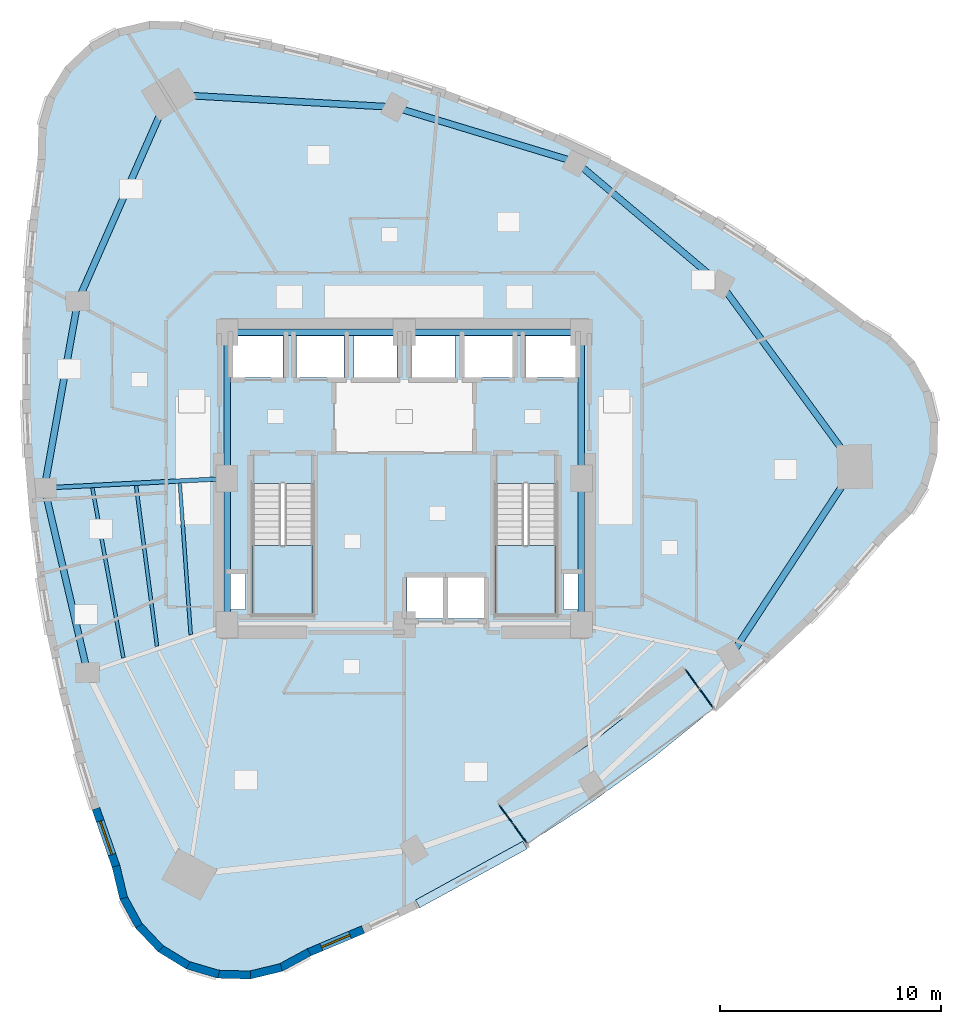
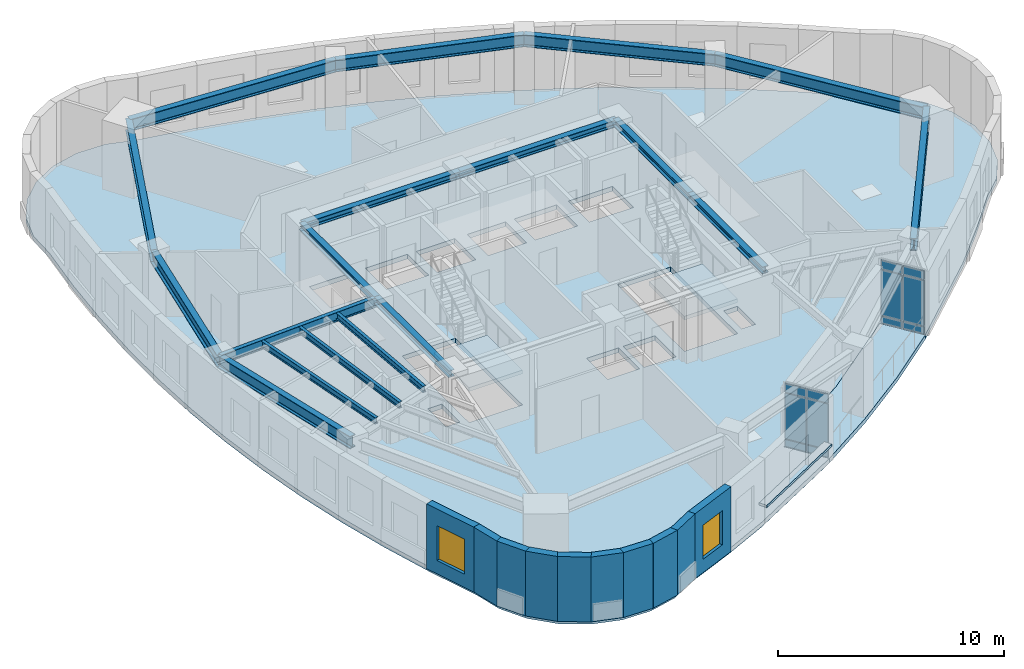
# One storey, part 4 of 11: 18 beams, 13 plates, 10 walls, 4 slabs, 2 windows, 2 openings, 4 elements without a shape of their own.
"""IFC4 building model written with IfcOpenShell, lengths in metres."""

import ifcopenshell
import ifcopenshell.guid

model = None  # the IFC model being written
_history = None  # IfcOwnerHistory: only IFC2X3 demands one
_inside = {}  # id of a spatial element -> (the spatial element, [elements in it])
_under = {}  # id of a project, library or spatial element -> (it, [spatial elements below it])
_declared = {}  # id of a project -> (the project, [libraries it declares])
_typed = {}  # id of a type object -> (the type object, [elements of that type])
_made_of = {}  # id of a material, layer set ... -> (it, [elements and type objects made of it])


def new_model(schema):
    """Start an empty IFC model of exactly this schema.

    Asked for "IFC4X3", IfcOpenShell would pick the latest addendum, in which some entities
    have other attributes; the version numbers below select the first issue.
    IFC2X3 requires an IfcOwnerHistory on every rooted entity: one is made here for all.
    """
    global model, _history
    if schema == "IFC4X3":
        model = ifcopenshell.file(schema_version=(4, 3, 0, 0))
    else:
        model = ifcopenshell.file(schema=schema)
    _inside.clear()
    _under.clear()
    _declared.clear()
    _typed.clear()
    _made_of.clear()
    _history = None
    if model.schema == "IFC2X3":
        org = make("IfcOrganization", Name="unknown")
        user = make(
            "IfcPersonAndOrganization",
            ThePerson=make("IfcPerson", FamilyName="unknown"),
            TheOrganization=org,
        )
        app = make(
            "IfcApplication",
            ApplicationDeveloper=org,
            Version="unknown",
            ApplicationFullName="unknown",
            ApplicationIdentifier="unknown",
        )
        _history = make(
            "IfcOwnerHistory",
            OwningUser=user,
            OwningApplication=app,
            ChangeAction="ADDED",
            CreationDate=0,
        )
    return model


def make(cls, **values):
    """One entity of the class cls with the attributes given. An attribute that is None is left unset."""
    return model.create_entity(
        cls, **{name: value for name, value in values.items() if value is not None}
    )


def rooted(cls, **values):
    """An entity with a GlobalId (a new one), such as an element, a storey or a relation."""
    return make(cls, GlobalId=ifcopenshell.guid.new(), OwnerHistory=_history, **values)


def si_unit(unit_type, name, prefix=None):
    """IfcSIUnit, for example si_unit("LENGTHUNIT", "METRE", prefix="MILLI")."""
    return make("IfcSIUnit", UnitType=unit_type, Prefix=prefix, Name=name)


def assignment(units):
    """IfcUnitAssignment: the units of a project."""
    return None if units is None else make("IfcUnitAssignment", Units=units)


def point(xyz):
    """IfcCartesianPoint."""
    return None if xyz is None else make("IfcCartesianPoint", Coordinates=xyz)


def direction(xyz):
    """IfcDirection."""
    return None if xyz is None else make("IfcDirection", DirectionRatios=xyz)


def frame(location, z_axis=None, x_axis=None):
    """IfcAxis2Placement3D, a coordinate frame: its origin and axes. An axis left out is left unset."""
    return make(
        "IfcAxis2Placement3D",
        Location=point(location),
        Axis=direction(z_axis),
        RefDirection=direction(x_axis),
    )


def frame_2d(location, x_axis=None):
    """IfcAxis2Placement2D, a coordinate frame in the plane: its origin and x axis."""
    return make(
        "IfcAxis2Placement2D", Location=point(location), RefDirection=direction(x_axis)
    )


def origin():
    """The frame at (0, 0, 0) with its axes left unset."""
    return frame((0.0, 0.0, 0.0))


def origin_2d():
    """The frame at (0, 0) in the plane with its x axis left unset."""
    return frame_2d((0.0, 0.0))


def place(relative_to, where):
    """IfcLocalPlacement: puts the frame where relative to a parent placement (None: the world)."""
    return make(
        "IfcLocalPlacement", PlacementRelTo=relative_to, RelativePlacement=where
    )


def context(
    kind, dimensions, precision=None, world=None, true_north=None, identifier=None
):
    """IfcGeometricRepresentationContext, for example the 3D "Model" context."""
    return make(
        "IfcGeometricRepresentationContext",
        ContextIdentifier=identifier,
        ContextType=kind,
        CoordinateSpaceDimension=dimensions,
        Precision=precision,
        WorldCoordinateSystem=world,
        TrueNorth=true_north,
    )


def subcontext(parent, identifier, kind, view, scale=None):
    """IfcGeometricRepresentationSubContext, for example "Body" below "Model"."""
    return make(
        "IfcGeometricRepresentationSubContext",
        ContextIdentifier=identifier,
        ContextType=kind,
        ParentContext=parent,
        TargetScale=scale,
        TargetView=view,
    )


def project(units=None, contexts=None):
    """IfcProject with its units and contexts."""
    return rooted(
        "IfcProject",
        Name="project",
        RepresentationContexts=contexts,
        UnitsInContext=assignment(units),
    )


def spatial(cls, under=None, at=None, **own):
    """A site, building, storey or space (cls), placed at a placement, below another one or the project."""
    s = rooted(cls, ObjectPlacement=at, **own)
    if under is not None:
        _under.setdefault(under.id(), (under, []))[1].append(s)
    return s


def polyline(points):
    """IfcPolyline through the points."""
    return make("IfcPolyline", Points=[point(p) for p in points])


def profile(cls, at=None, kind="AREA", **sizes):
    """A parametric profile (cls). Its sizes go by their IFC names, for example OverallWidth=200.0."""
    return make(cls, ProfileType=kind, Position=at, **sizes)


def rectangle(**sizes):
    """IfcRectangleProfileDef."""
    return profile("IfcRectangleProfileDef", **sizes)


def i_section(**sizes):
    """IfcIShapeProfileDef."""
    return profile("IfcIShapeProfileDef", **sizes)


def outline(outer, holes=None, kind="AREA"):
    """IfcArbitraryClosedProfileDef: a profile drawn as a closed curve; with holes, ...WithVoids."""
    if holes is None:
        return make("IfcArbitraryClosedProfileDef", ProfileType=kind, OuterCurve=outer)
    return make(
        "IfcArbitraryProfileDefWithVoids",
        ProfileType=kind,
        OuterCurve=outer,
        InnerCurves=holes,
    )


def extrude(swept, where, along, depth):
    """IfcExtrudedAreaSolid: the profile swept, set in the frame where, extruded along a direction by depth."""
    return make(
        "IfcExtrudedAreaSolid",
        SweptArea=swept,
        Position=where,
        ExtrudedDirection=direction(along),
        Depth=depth,
    )


def shape(context_of_items, identifier, shape_type, items):
    """IfcShapeRepresentation: the items that make up one representation, for example the "Body"."""
    return make(
        "IfcShapeRepresentation",
        ContextOfItems=context_of_items,
        RepresentationIdentifier=identifier,
        RepresentationType=shape_type,
        Items=items,
    )


def material(Name=None, Category=None):
    """IfcMaterial."""
    return make("IfcMaterial", Name=Name, Category=Category)


def layer(
    of_material, thickness, ventilated=None, Name=None, Category=None, Priority=None
):
    """IfcMaterialLayer: one layer of a wall or slab, of a material (None: an air gap)."""
    return make(
        "IfcMaterialLayer",
        Material=of_material,
        LayerThickness=thickness,
        IsVentilated=ventilated,
        Name=Name,
        Category=Category,
        Priority=Priority,
    )


def layer_set(layers, Name=None):
    """IfcMaterialLayerSet."""
    return make("IfcMaterialLayerSet", MaterialLayers=layers, LayerSetName=Name)


def material_profile(
    of_material, cross_section, Name=None, Category=None, Priority=None
):
    """IfcMaterialProfile: a cross section and its material."""
    return make(
        "IfcMaterialProfile",
        Name=Name,
        Material=of_material,
        Profile=cross_section,
        Priority=Priority,
        Category=Category,
    )


def profile_set(profiles, Name=None, composite=None):
    """IfcMaterialProfileSet."""
    return make(
        "IfcMaterialProfileSet",
        Name=Name,
        MaterialProfiles=profiles,
        CompositeProfile=composite,
    )


def made_of(thing, what):
    """Note that an element or type object is made of a material, layer set ...; save() writes the relation."""
    if what is not None:
        _made_of.setdefault(what.id(), (what, []))[1].append(thing)
    return thing


def type_object(cls, material=None, **own):
    """A type object (cls), such as IfcWallType, which elements share."""
    return made_of(rooted(cls, **own), material)


def element(
    cls,
    number,
    at=None,
    inside=None,
    cuts=None,
    type_object=None,
    material=None,
    context=None,
    identifier="Body",
    shape_type=None,
    held_by="IfcProductDefinitionShape",
    body=None,
    shapes=None,
    **own,
):
    """One element of the class cls, such as IfcWall. Its Tag is "e" and its number.

    at: its placement. inside: the storey or other place that contains it. cuts: it is an
    opening in that element (IfcRelVoidsElement). A single representation is given by context,
    identifier, shape_type and body (its items); several are given by shapes. held_by: the class
    of the entity that holds the representations. save() writes the other relations.
    """
    e = rooted(cls, Tag="e%d" % number, ObjectPlacement=at, **own)
    if body is not None:
        shapes = [shape(context, identifier, shape_type, body)]
    if shapes is not None:
        e.Representation = make(held_by, Representations=shapes)
    if inside is not None:
        _inside.setdefault(inside.id(), (inside, []))[1].append(e)
    if cuts is not None:
        rooted(
            "IfcRelVoidsElement", RelatingBuildingElement=cuts, RelatedOpeningElement=e
        )
    if type_object is not None:
        _typed.setdefault(type_object.id(), (type_object, []))[1].append(e)
    return made_of(e, material)


def fill(opening, filler):
    """IfcRelFillsElement: the door or window that sits in an opening."""
    return rooted(
        "IfcRelFillsElement",
        RelatingOpeningElement=opening,
        RelatedBuildingElement=filler,
    )


def aggregate(whole, parts):
    """IfcRelAggregates: a whole, such as a stair, and the parts it consists of."""
    return rooted("IfcRelAggregates", RelatingObject=whole, RelatedObjects=parts)


def save(model, path):
    """Write the relations noted so far, then the file.

    IfcRelAggregates (storeys below a building ...), IfcRelContainedInSpatialStructure (elements
    in a storey), IfcRelDefinesByType, IfcRelAssociatesMaterial and IfcRelDeclares: one each for
    every whole, place, type object, material and project.
    """
    for whole, parts in _under.values():
        aggregate(whole, parts)
    for where, things in _inside.values():
        rooted(
            "IfcRelContainedInSpatialStructure",
            RelatedElements=things,
            RelatingStructure=where,
        )
    for kind, things in _typed.values():
        rooted("IfcRelDefinesByType", RelatedObjects=things, RelatingType=kind)
    for what, things in _made_of.values():
        rooted("IfcRelAssociatesMaterial", RelatedObjects=things, RelatingMaterial=what)
    for by, libraries in _declared.values():
        rooted("IfcRelDeclares", RelatingContext=by, RelatedDefinitions=libraries)
    model.write(path)


model = new_model("IFC4")

# Units and contexts
model_context = context("Model", 3, precision=1e-05, world=origin(), true_north=direction((0.0, 1.0)))
body_context = subcontext(model_context, "Body", "Model", "MODEL_VIEW")
ifc_project = project(units=[si_unit("LENGTHUNIT", "METRE"), si_unit("AREAUNIT", "SQUARE_METRE"), si_unit("VOLUMEUNIT", "CUBIC_METRE"), si_unit("PLANEANGLEUNIT", "RADIAN"), si_unit("MASSUNIT", "GRAM", prefix="KILO")], contexts=[model_context])

# Site, building, storey
site_placement = place(None, origin())
site = spatial("IfcSite", under=ifc_project, at=site_placement, CompositionType="ELEMENT")
building_placement = place(site_placement, origin())
building = spatial("IfcBuilding", under=site, at=building_placement, Name="Ndelora Gate Hotel", CompositionType="ELEMENT")
storey_placement = place(building_placement, frame((0.0, 0.0, 146.0)))
storey = spatial("IfcBuildingStorey", under=building, at=storey_placement, Name="L36", CompositionType="ELEMENT", Elevation=146.0)

# Beams
ifc_material_1 = material(Name="Steel S355", Category="steel")
ifc_material_profile_1 = material_profile(ifc_material_1, i_section(OverallWidth=0.300048828125, OverallDepth=0.360107421875, WebThickness=0.012451171875, FlangeThickness=0.0224609375, FilletRadius=0.027099609375, at=origin_2d()), Name="HEB 360")
ifc_profile_set_1 = profile_set([ifc_material_profile_1], Name="Steel S355")
beam_type_1 = type_object("IfcBeamType", Name="BM-CORE-360", PredefinedType="BEAM", material=ifc_profile_set_1)
for number, where, z_axis, x_axis, name in (
    (1, (-8.0, 6.60009765625, 3.320068359375), (1.0, 0.0, 0.0), (0.0, 1.0, 0.0), "L36 Core Tie Girder CC7-CC6"),
    (2, (0.0, 6.60009765625, 3.320068359375), (1.0, 0.0, 0.0), (0.0, 1.0, 0.0), "L36 Core Tie Girder CC6-CC5"),
):
    element("IfcBeam", number, at=place(storey_placement, frame(where, z_axis=z_axis, x_axis=x_axis)), inside=storey, type_object=beam_type_1, Name=name, PredefinedType="BEAM", context=body_context, shape_type="SweptSolid", body=[
        extrude(i_section(OverallWidth=0.300048828125, OverallDepth=0.360107421875, WebThickness=0.012451171875, FlangeThickness=0.0224609375, FilletRadius=0.027099609375, at=origin_2d()), origin(), (0.0, 0.0, 1.0), 8.0),
    ])
for number, where, z_axis, x_axis, name in (
    (3, (-8.0, -6.60009765625, 3.320068359375), (0.0, 1.0, 0.0), (-1.0, 0.0, 0.0), "L36 Core Tie Girder CC1-CC8"),
    (4, (-8.0, 0.0, 3.320068359375), (0.0, 1.0, 0.0), (-1.0, 0.0, 0.0), "L36 Core Tie Girder CC8-CC7"),
    (5, (8.0, -6.60009765625, 3.320068359375), (0.0, 1.0, 0.0), (-1.0, 0.0, 0.0), "L36 Core Tie Girder CC3-CC4"),
    (6, (8.0, 0.0, 3.320068359375), (0.0, 1.0, 0.0), (-1.0, 0.0, 0.0), "L36 Core Tie Girder CC4-CC5"),
):
    element("IfcBeam", number, at=place(storey_placement, frame(where, z_axis=z_axis, x_axis=x_axis)), inside=storey, type_object=beam_type_1, Name=name, PredefinedType="BEAM", context=body_context, shape_type="SweptSolid", body=[
        extrude(i_section(OverallWidth=0.300048828125, OverallDepth=0.360107421875, WebThickness=0.012451171875, FlangeThickness=0.0224609375, FilletRadius=0.027099609375, at=origin_2d()), origin(), (0.0, 0.0, 1.0), 6.60009765625),
    ])
ifc_material_profile_2 = material_profile(ifc_material_1, i_section(OverallWidth=0.159912109375, OverallDepth=0.330078125, WebThickness=0.007568359375, FlangeThickness=0.011474609375, FilletRadius=0.01806640625, at=origin_2d()), Name="IPE 330")
ifc_profile_set_2 = profile_set([ifc_material_profile_2], Name="Steel S355")
beam_type_2 = type_object("IfcBeamType", Name="BM-JST-330", PredefinedType="JOIST", material=ifc_profile_set_2)
beam_1_placement = place(storey_placement, frame((-10.138427734375, -0.220458984375, 3.3349609375), z_axis=(0.07162945927, -0.997431311201, 0.0), x_axis=(0.997431311201, 0.07162945927, 0.0)))
element("IfcBeam", 7, at=beam_1_placement, inside=storey, type_object=beam_type_2, Name="L36 Secondary Composite Floor Joist IN-3", PredefinedType="JOIST", context=body_context, shape_type="SweptSolid", body=[
    extrude(i_section(OverallWidth=0.159912109375, OverallDepth=0.330078125, WebThickness=0.007568359375, FlangeThickness=0.011474609375, FilletRadius=0.01806640625, at=origin_2d()), origin(), (0.0, 0.0, 1.0), 6.850830078125),
])
beam_2_placement = place(storey_placement, frame((-12.113525390625, -0.322021484375, 3.3349609375), z_axis=(0.12927924943, -0.991608226906, 0.0), x_axis=(0.991608226906, 0.12927924943, 0.0)))
element("IfcBeam", 8, at=beam_2_placement, inside=storey, type_object=beam_type_2, Name="L36 Secondary Composite Floor Joist MID-3", PredefinedType="JOIST", context=body_context, shape_type="SweptSolid", body=[
    extrude(i_section(OverallWidth=0.159912109375, OverallDepth=0.330078125, WebThickness=0.007568359375, FlangeThickness=0.011474609375, FilletRadius=0.01806640625, at=origin_2d()), origin(), (0.0, 0.0, 1.0), 7.31396484375),
])
beam_3_placement = place(storey_placement, frame((-14.089111328125, -0.423095703125, 3.3349609375), z_axis=(0.179733770179, -0.983715290039, 0.0), x_axis=(0.983715290039, 0.179733770179, 0.0)))
element("IfcBeam", 9, at=beam_3_placement, inside=storey, type_object=beam_type_2, Name="L36 Secondary Composite Floor Joist OUT-3", PredefinedType="JOIST", context=body_context, shape_type="SweptSolid", body=[
    extrude(i_section(OverallWidth=0.159912109375, OverallDepth=0.330078125, WebThickness=0.007568359375, FlangeThickness=0.011474609375, FilletRadius=0.01806640625, at=origin_2d()), origin(), (0.0, 0.0, 1.0), 7.799560546875),
])
ifc_material_profile_3 = material_profile(ifc_material_1, i_section(OverallWidth=0.199951171875, OverallDepth=0.5, WebThickness=0.01025390625, FlangeThickness=0.01611328125, FilletRadius=0.02099609375, at=origin_2d()), Name="IPE 500")
ifc_profile_set_3 = profile_set([ifc_material_profile_3], Name="Steel S355")
beam_type_3 = type_object("IfcBeamType", Name="BM-RAD-500", PredefinedType="BEAM", material=ifc_profile_set_3)
beam_4_placement = place(storey_placement, frame((-8.0, 0.0, 3.25), z_axis=(-0.998672591881, -0.051507807424, 0.0), x_axis=(0.051507807424, -0.998672591881, 0.0)))
element("IfcBeam", 10, at=beam_4_placement, inside=storey, type_object=beam_type_3, Name="L36 Radial Floor Girder 3", PredefinedType="BEAM", context=body_context, shape_type="SweptSolid", body=[
    extrude(i_section(OverallWidth=0.199951171875, OverallDepth=0.5, WebThickness=0.01025390625, FlangeThickness=0.01611328125, FilletRadius=0.02099609375, at=origin_2d()), origin(), (0.0, 0.0, 1.0), 8.266357421875),
])
ifc_material_profile_4 = material_profile(ifc_material_1, i_section(OverallWidth=0.300048828125, OverallDepth=0.64990234375, WebThickness=0.01611328125, FlangeThickness=0.031005859375, FilletRadius=0.027099609375, at=origin_2d()), Name="HEB 650")
ifc_profile_set_4 = profile_set([ifc_material_profile_4], Name="Steel S355")
beam_type_4 = type_object("IfcBeamType", Name="BM-RING-650", PredefinedType="SPANDREL", material=ifc_profile_set_4)
beam_5_placement = place(storey_placement, frame((-10.63330078125, 17.351806640625, 3.175048828125), z_axis=(-0.402852396707, -0.915264959707, 0.0), x_axis=(0.915264959707, -0.402852396707, 0.0)))
element("IfcBeam", 11, at=beam_5_placement, inside=storey, type_object=beam_type_4, Name="L36 Perimeter Spandrel Girder 1", PredefinedType="SPANDREL", context=body_context, shape_type="SweptSolid", body=[
    extrude(i_section(OverallWidth=0.300048828125, OverallDepth=0.64990234375, WebThickness=0.01611328125, FlangeThickness=0.031005859375, FilletRadius=0.027099609375, at=origin_2d()), origin(), (0.0, 0.0, 1.0), 10.21044921875),
])
beam_6_placement = place(storey_placement, frame((-14.74658203125, 8.006591796875, 3.175048828125), z_axis=(-0.176130938817, -0.984366746894, 0.0), x_axis=(0.984366746894, -0.176130938817, 0.0)))
element("IfcBeam", 12, at=beam_6_placement, inside=storey, type_object=beam_type_4, Name="L36 Perimeter Spandrel Girder 2", PredefinedType="SPANDREL", context=body_context, shape_type="SweptSolid", body=[
    extrude(i_section(OverallWidth=0.300048828125, OverallDepth=0.64990234375, WebThickness=0.01611328125, FlangeThickness=0.031005859375, FilletRadius=0.027099609375, at=origin_2d()), origin(), (0.0, 0.0, 1.0), 8.56640625),
])
beam_7_placement = place(storey_placement, frame((-16.25537109375, -0.42578125, 3.175048828125), z_axis=(0.227404398157, -0.973800410607, 0.0), x_axis=(0.973800410607, 0.227404398157, 0.0)))
element("IfcBeam", 13, at=beam_7_placement, inside=storey, type_object=beam_type_4, Name="L36 Perimeter Spandrel Girder 3", PredefinedType="SPANDREL", context=body_context, shape_type="SweptSolid", body=[
    extrude(i_section(OverallWidth=0.300048828125, OverallDepth=0.64990234375, WebThickness=0.01611328125, FlangeThickness=0.031005859375, FilletRadius=0.027099609375, at=origin_2d()), origin(), (0.0, 0.0, 1.0), 8.566162109375),
])
for number, where, z_axis, x_axis, name in (
    (14, (14.74658203125, -8.006591796875, 3.175048828125), (0.548194123818, 0.836351123998, 0.0), (-0.836351123998, 0.548194123818, 0.0), "L36 Perimeter Spandrel Girder 8"),
    (15, (20.34375, 0.53271484375, 3.175048828125), (-0.591229932094, 0.806503048597, 0.0), (-0.806503048597, -0.591229932094, 0.0), "L36 Perimeter Spandrel Girder 9"),
):
    element("IfcBeam", number, at=place(storey_placement, frame(where, z_axis=z_axis, x_axis=x_axis)), inside=storey, type_object=beam_type_4, Name=name, PredefinedType="SPANDREL", context=body_context, shape_type="SweptSolid", body=[
        extrude(i_section(OverallWidth=0.300048828125, OverallDepth=0.64990234375, WebThickness=0.01611328125, FlangeThickness=0.031005859375, FilletRadius=0.027099609375, at=origin_2d()), origin(), (0.0, 0.0, 1.0), 10.210205078125),
    ])
beam_8_placement = place(storey_placement, frame((14.30712890625, 8.767333984375, 3.175048828125), z_axis=(-0.76440691948, 0.644734101356, 0.0), x_axis=(-0.644734101356, -0.76440691948, 0.0)))
element("IfcBeam", 16, at=beam_8_placement, inside=storey, type_object=beam_type_4, Name="L36 Perimeter Spandrel Girder 10", PredefinedType="SPANDREL", context=body_context, shape_type="SweptSolid", body=[
    extrude(i_section(OverallWidth=0.300048828125, OverallDepth=0.64990234375, WebThickness=0.01611328125, FlangeThickness=0.031005859375, FilletRadius=0.027099609375, at=origin_2d()), origin(), (0.0, 0.0, 1.0), 8.566162109375),
])
beam_9_placement = place(storey_placement, frame((7.759033203125, 14.290283203125, 3.175048828125), z_axis=(-0.957030396662, 0.289987620192, 0.0), x_axis=(-0.289987620192, -0.957030396662, 0.0)))
element("IfcBeam", 17, at=beam_9_placement, inside=storey, type_object=beam_type_4, Name="L36 Perimeter Spandrel Girder 11", PredefinedType="SPANDREL", context=body_context, shape_type="SweptSolid", body=[
    extrude(i_section(OverallWidth=0.300048828125, OverallDepth=0.64990234375, WebThickness=0.01611328125, FlangeThickness=0.031005859375, FilletRadius=0.027099609375, at=origin_2d()), origin(), (0.0, 0.0, 1.0), 8.56640625),
])
beam_10_placement = place(storey_placement, frame((-0.439208984375, 16.7744140625, 3.175048828125), z_axis=(-0.998399808671, 0.056549288648, 0.0), x_axis=(-0.056549288648, -0.998399808671, 0.0)))
element("IfcBeam", 18, at=beam_10_placement, inside=storey, type_object=beam_type_4, Name="L36 Perimeter Spandrel Girder 12", PredefinedType="SPANDREL", context=body_context, shape_type="SweptSolid", body=[
    extrude(i_section(OverallWidth=0.300048828125, OverallDepth=0.64990234375, WebThickness=0.01611328125, FlangeThickness=0.031005859375, FilletRadius=0.027099609375, at=origin_2d()), origin(), (0.0, 0.0, 1.0), 10.21044921875),
])

# Curtain wall, plates
ifc_material_2 = material(Name="Bronze Anodised Unitised Aluminium and Low-E Glass", Category="aluminium")
ifc_layer_1 = layer(ifc_material_2, 0.199951171875)
ifc_layer_set_1 = layer_set([ifc_layer_1], Name="Bronze Anodised Unitised Aluminium and Low-E Glass")
curtain_wall_type = type_object("IfcCurtainWallType", Name="CW-SYS-3", PredefinedType="NOTDEFINED", material=ifc_layer_set_1)
curtain_wall_1_placement = place(storey_placement, origin())
curtain_wall_1 = element("IfcCurtainWall", 19, at=curtain_wall_1_placement, inside=storey, type_object=curtain_wall_type, Name="L36 Sky-Garden Loggia Side Curtain Wall CW3-1", PredefinedType="NOTDEFINED")
ifc_material_3 = material(Name="Solar-Control Low-E Insulated Glazing", Category="glass")
ifc_layer_2 = layer(ifc_material_3, 0.048095703125)
ifc_layer_set_2 = layer_set([ifc_layer_2], Name="Solar-Control Low-E Insulated Glazing")
plate_type_1 = type_object("IfcPlateType", Name="PL-CW-GLZ36", PredefinedType="CURTAIN_PANEL", material=ifc_layer_set_2)
plate_1_placement = place(storey_placement, frame((4.59912109375, -15.177001953125, 0.05908203125), z_axis=(0.0, 0.0, 1.0), x_axis=(0.587785135859, -0.809017078969, 0.0)))
plate_1 = element("IfcPlate", 20, at=plate_1_placement, type_object=plate_type_1, Name="CW3 panel 1.1", PredefinedType="CURTAIN_PANEL", context=body_context, shape_type="SweptSolid", body=[
    extrude(rectangle(XDim=1.014404296875, YDim=0.048095703125, at=origin_2d()), origin(), (0.0, 0.0, 1.0), 0.364501953125),
])
plate_2_placement = place(storey_placement, frame((4.59912109375, -15.177001953125, 0.4765625), z_axis=(0.0, 0.0, 1.0), x_axis=(0.587785135859, -0.809017078969, 0.0)))
plate_2 = element("IfcPlate", 21, at=plate_2_placement, type_object=plate_type_1, Name="CW3 panel 1.2", PredefinedType="CURTAIN_PANEL", context=body_context, shape_type="SweptSolid", body=[
    extrude(rectangle(XDim=1.014404296875, YDim=0.048095703125, at=origin_2d()), origin(), (0.0, 0.0, 1.0), 2.447021484375),
])
plate_3_placement = place(storey_placement, frame((4.59912109375, -15.177001953125, 2.9765625), z_axis=(0.0, 0.0, 1.0), x_axis=(0.587785135859, -0.809017078969, 0.0)))
plate_3 = element("IfcPlate", 22, at=plate_3_placement, type_object=plate_type_1, Name="CW3 panel 1.3", PredefinedType="CURTAIN_PANEL", context=body_context, shape_type="SweptSolid", body=[
    extrude(rectangle(XDim=1.014404296875, YDim=0.048095703125, at=origin_2d()), origin(), (0.0, 0.0, 1.0), 0.464599609375),
])
plate_4_placement = place(storey_placement, frame((5.2265625, -16.040771484375, 0.05908203125), z_axis=(0.0, 0.0, 1.0), x_axis=(0.587785135859, -0.809017078969, 0.0)))
plate_4 = element("IfcPlate", 23, at=plate_4_placement, type_object=plate_type_1, Name="CW3 panel 2.1", PredefinedType="CURTAIN_PANEL", context=body_context, shape_type="SweptSolid", body=[
    extrude(rectangle(XDim=1.014404296875, YDim=0.048095703125, at=origin_2d()), origin(), (0.0, 0.0, 1.0), 0.364501953125),
])
plate_5_placement = place(storey_placement, frame((5.2265625, -16.040771484375, 0.4765625), z_axis=(0.0, 0.0, 1.0), x_axis=(0.587785135859, -0.809017078969, 0.0)))
plate_5 = element("IfcPlate", 24, at=plate_5_placement, type_object=plate_type_1, Name="CW3 panel 2.2", PredefinedType="CURTAIN_PANEL", context=body_context, shape_type="SweptSolid", body=[
    extrude(rectangle(XDim=1.014404296875, YDim=0.048095703125, at=origin_2d()), origin(), (0.0, 0.0, 1.0), 2.447021484375),
])
plate_6_placement = place(storey_placement, frame((5.2265625, -16.040771484375, 2.9765625), z_axis=(0.0, 0.0, 1.0), x_axis=(0.587785135859, -0.809017078969, 0.0)))
plate_6 = element("IfcPlate", 25, at=plate_6_placement, type_object=plate_type_1, Name="CW3 panel 2.3", PredefinedType="CURTAIN_PANEL", context=body_context, shape_type="SweptSolid", body=[
    extrude(rectangle(XDim=1.014404296875, YDim=0.048095703125, at=origin_2d()), origin(), (0.0, 0.0, 1.0), 0.464599609375),
])
aggregate(curtain_wall_1, [plate_1, plate_2, plate_3, plate_4, plate_5, plate_6])

curtain_wall_2_placement = place(storey_placement, origin())
curtain_wall_2 = element("IfcCurtainWall", 26, at=curtain_wall_2_placement, inside=storey, type_object=curtain_wall_type, Name="L36 Sky-Garden Loggia Side Curtain Wall CW3-2", PredefinedType="NOTDEFINED")
plate_7_placement = place(storey_placement, frame((13.640380859375, -9.927734375, 0.05908203125), z_axis=(0.0, 0.0, 1.0), x_axis=(-0.587785135859, 0.809017078969, 0.0)))
plate_7 = element("IfcPlate", 27, at=plate_7_placement, type_object=plate_type_1, Name="CW3 panel 1.1", PredefinedType="CURTAIN_PANEL", context=body_context, shape_type="SweptSolid", body=[
    extrude(rectangle(XDim=1.014404296875, YDim=0.048095703125, at=origin_2d()), origin(), (0.0, 0.0, 1.0), 0.364501953125),
])
plate_8_placement = place(storey_placement, frame((13.640380859375, -9.927734375, 0.4765625), z_axis=(0.0, 0.0, 1.0), x_axis=(-0.587785135859, 0.809017078969, 0.0)))
plate_8 = element("IfcPlate", 28, at=plate_8_placement, type_object=plate_type_1, Name="CW3 panel 1.2", PredefinedType="CURTAIN_PANEL", context=body_context, shape_type="SweptSolid", body=[
    extrude(rectangle(XDim=1.014404296875, YDim=0.048095703125, at=origin_2d()), origin(), (0.0, 0.0, 1.0), 2.447021484375),
])
plate_9_placement = place(storey_placement, frame((13.640380859375, -9.927734375, 2.9765625), z_axis=(0.0, 0.0, 1.0), x_axis=(-0.587785135859, 0.809017078969, 0.0)))
plate_9 = element("IfcPlate", 29, at=plate_9_placement, type_object=plate_type_1, Name="CW3 panel 1.3", PredefinedType="CURTAIN_PANEL", context=body_context, shape_type="SweptSolid", body=[
    extrude(rectangle(XDim=1.014404296875, YDim=0.048095703125, at=origin_2d()), origin(), (0.0, 0.0, 1.0), 0.464599609375),
])
plate_10_placement = place(storey_placement, frame((13.012939453125, -9.064208984375, 0.05908203125), z_axis=(0.0, 0.0, 1.0), x_axis=(-0.587785135859, 0.809017078969, 0.0)))
plate_10 = element("IfcPlate", 30, at=plate_10_placement, type_object=plate_type_1, Name="CW3 panel 2.1", PredefinedType="CURTAIN_PANEL", context=body_context, shape_type="SweptSolid", body=[
    extrude(rectangle(XDim=1.014404296875, YDim=0.048095703125, at=origin_2d()), origin(), (0.0, 0.0, 1.0), 0.364501953125),
])
plate_11_placement = place(storey_placement, frame((13.012939453125, -9.064208984375, 0.4765625), z_axis=(0.0, 0.0, 1.0), x_axis=(-0.587785135859, 0.809017078969, 0.0)))
plate_11 = element("IfcPlate", 31, at=plate_11_placement, type_object=plate_type_1, Name="CW3 panel 2.2", PredefinedType="CURTAIN_PANEL", context=body_context, shape_type="SweptSolid", body=[
    extrude(rectangle(XDim=1.014404296875, YDim=0.048095703125, at=origin_2d()), origin(), (0.0, 0.0, 1.0), 2.447021484375),
])
plate_12_placement = place(storey_placement, frame((13.012939453125, -9.064208984375, 2.9765625), z_axis=(0.0, 0.0, 1.0), x_axis=(-0.587785135859, 0.809017078969, 0.0)))
plate_12 = element("IfcPlate", 32, at=plate_12_placement, type_object=plate_type_1, Name="CW3 panel 2.3", PredefinedType="CURTAIN_PANEL", context=body_context, shape_type="SweptSolid", body=[
    extrude(rectangle(XDim=1.014404296875, YDim=0.048095703125, at=origin_2d()), origin(), (0.0, 0.0, 1.0), 0.464599609375),
])
aggregate(curtain_wall_2, [plate_7, plate_8, plate_9, plate_10, plate_11, plate_12])

# Plate
ifc_material_4 = material(Name="Precast concrete C40/50", Category="concrete")
ifc_layer_3 = layer(ifc_material_4, 0.125)
ifc_layer_set_3 = layer_set([ifc_layer_3], Name="Precast concrete C40/50")
plate_type_2 = type_object("IfcPlateType", Name="PL-SILL-120", PredefinedType="USERDEFINED", material=ifc_layer_set_3)
plate_13_placement = place(storey_placement, frame((3.026123046875, -17.88623046875, 0.78759765625), z_axis=(0.0, 0.0, 1.0), x_axis=(0.877062335535, 0.480376581014, 0.0)))
element("IfcPlate", 33, at=plate_13_placement, inside=storey, type_object=plate_type_2, Name="L36 Streamline Precast Ribbon Sill 31", ObjectType="RIBBON_SILL", PredefinedType="USERDEFINED", context=body_context, shape_type="SweptSolid", body=[
    extrude(rectangle(XDim=5.527099609375, YDim=0.39990234375, at=origin_2d()), origin(), (0.0, 0.0, 1.0), 0.125),
])

# Stair, slab
stair_type = type_object("IfcStairType", Name="STR-DOG-CORE", PredefinedType="HALF_TURN_STAIR", material=ifc_material_4)
stair_1_placement = place(storey_placement, origin())
stair_1 = element("IfcStair", 34, at=stair_1_placement, inside=storey, type_object=stair_type, Name="L36 Protected Core Exit Stair ST4", PredefinedType="HALF_TURN_STAIR")
ifc_layer_4 = layer(ifc_material_4, 0.219970703125)
ifc_layer_set_4 = layer_set([ifc_layer_4], Name="Precast concrete C40/50")
slab_type_1 = type_object("IfcSlabType", Name="SL-LAND-220", PredefinedType="LANDING", material=ifc_layer_set_4)
slab_1_placement = place(storey_placement, frame((0.0, 0.0, 1.675048828125)))
slab_1 = element("IfcSlab", 35, at=slab_1_placement, type_object=slab_type_1, Name="ST4 landing 1", PredefinedType="LANDING", context=body_context, shape_type="SweptSolid", body=[
    extrude(outline(polyline([(-6.85009765625, -3.030029296875), (-6.85009765625, -6.14990234375), (-4.1298828125, -6.14990234375), (-4.1298828125, -3.030029296875), (-6.85009765625, -3.030029296875)])), origin(), (0.0, 0.0, 1.0), 0.199951171875),
])
aggregate(stair_1, [slab_1])

stair_2_placement = place(storey_placement, origin())
stair_2 = element("IfcStair", 36, at=stair_2_placement, inside=storey, type_object=stair_type, Name="L36 Protected Core Exit Stair ST5", PredefinedType="HALF_TURN_STAIR")
slab_2_placement = place(storey_placement, frame((0.0, 0.0, 1.675048828125)))
slab_2 = element("IfcSlab", 37, at=slab_2_placement, type_object=slab_type_1, Name="ST5 landing 1", PredefinedType="LANDING", context=body_context, shape_type="SweptSolid", body=[
    extrude(outline(polyline([(4.1298828125, -3.030029296875), (4.1298828125, -6.14990234375), (6.85009765625, -6.14990234375), (6.85009765625, -3.030029296875), (4.1298828125, -3.030029296875)])), origin(), (0.0, 0.0, 1.0), 0.199951171875),
])
aggregate(stair_2, [slab_2])

# Slabs
ifc_layer_5 = layer(ifc_material_4, 0.239990234375)
ifc_layer_set_5 = layer_set([ifc_layer_5], Name="Precast concrete C40/50")
slab_type_2 = type_object("IfcSlabType", Name="SL-TER-240", PredefinedType="FLOOR", material=ifc_layer_set_5)
slab_3_placement = place(storey_placement, frame((0.0, 0.0, -0.239990234375)))
element("IfcSlab", 38, at=slab_3_placement, inside=storey, type_object=slab_type_2, Name="L36 Sky Garden Loggia Terrace Slab", PredefinedType="FLOOR", context=body_context, shape_type="SweptSolid", body=[
    extrude(outline(polyline([(4.266357421875, -14.718994140625), (5.5595703125, -16.498779296875), (8.447509765625, -14.635009765625), (11.308349609375, -12.556640625), (13.973388671875, -10.3857421875), (12.68017578125, -8.60595703125), (8.599365234375, -11.836181640625), (4.266357421875, -14.718994140625)])), origin(), (0.0, 0.0, 1.0), 0.239990234375),
])
ifc_material_5 = material(Name="Concrete C40/50", Category="concrete")
ifc_layer_6 = layer(ifc_material_5, 0.25)
ifc_layer_set_6 = layer_set([ifc_layer_6], Name="Concrete C40/50")
slab_type_3 = type_object("IfcSlabType", Name="SL-TWR-250", PredefinedType="FLOOR", material=ifc_layer_set_6)
slab_4_placement = place(storey_placement, frame((0.0, 0.0, -0.25)))
element("IfcSlab", 39, at=slab_4_placement, inside=storey, type_object=slab_type_3, Name="L36 Structural Floor Slab", PredefinedType="FLOOR", context=body_context, shape_type="SweptSolid", body=[
    extrude(outline(polyline([(-8.67236328125, 20.0400390625), (-10.049072265625, 20.447998046875), (-11.484375, 20.485595703125), (-12.880615234375, 20.150390625), (-14.142333984375, 19.465087890625), (-15.183837890625, 18.476806640625), (-15.93408203125, 17.252685546875), (-16.341796875, 15.8759765625), (-16.37939453125, 14.440673828125), (-16.722412109375, 11.7109375), (-16.951904296875, 8.9931640625), (-17.068359375, 6.287109375), (-17.071533203125, 3.593017578125), (-16.96142578125, 0.910888671875), (-16.738037109375, -1.75927734375), (-16.4013671875, -4.41748046875), (-15.951416015625, -7.06396484375), (-15.38818359375, -9.698486328125), (-14.711669921875, -12.321044921875), (-13.922119140625, -14.931884765625), (-13.01904296875, -17.530517578125), (-12.683837890625, -18.9267578125), (-11.998779296875, -20.1884765625), (-11.010498046875, -21.22998046875), (-9.7861328125, -21.980224609375), (-8.40966796875, -22.387939453125), (-6.974365234375, -22.425537109375), (-5.578125, -22.09033203125), (-4.31640625, -21.4052734375), (-1.881103515625, -20.3818359375), (0.49267578125, -19.273681640625), (5.5595703125, -16.498779296875), (4.266357421875, -14.718994140625), (8.599365234375, -11.836181640625), (12.68017578125, -8.60595703125), (13.973388671875, -10.3857421875), (18.177978515625, -6.42431640625), (19.965576171875, -4.509521484375), (21.69140625, -2.509521484375), (22.73291015625, -1.521240234375), (23.483154296875, -0.297119140625), (23.890869140625, 1.07958984375), (23.928466796875, 2.514892578125), (23.593505859375, 3.9111328125), (22.908203125, 5.1728515625), (21.919921875, 6.21435546875), (20.69580078125, 6.964599609375), (18.503173828125, 8.62646484375), (16.26416015625, 10.184326171875), (13.97900390625, 11.637939453125), (11.6474609375, 12.98779296875), (9.26953125, 14.2333984375), (6.845458984375, 15.375), (4.375, 16.41259765625), (1.858154296875, 17.34619140625), (-0.705078125, 18.17578125), (-3.314453125, 18.9013671875), (-5.97021484375, 19.522705078125), (-8.67236328125, 20.0400390625)]), holes=[polyline([(-6.85009765625, -0.22998046875), (-6.85009765625, -6.14990234375), (-4.1298828125, -6.14990234375), (-4.1298828125, -0.22998046875), (-6.85009765625, -0.22998046875)]), polyline([(4.1298828125, -0.22998046875), (4.1298828125, -6.14990234375), (6.85009765625, -6.14990234375), (6.85009765625, -0.22998046875), (4.1298828125, -0.22998046875)]), polyline([(-7.72998046875, 4.570068359375), (-5.469970703125, 4.570068359375), (-5.469970703125, 6.429931640625), (-7.72998046875, 6.429931640625), (-7.72998046875, 4.570068359375)]), polyline([(5.469970703125, 4.570068359375), (7.72998046875, 4.570068359375), (7.72998046875, 6.429931640625), (5.469970703125, 6.429931640625), (5.469970703125, 4.570068359375)]), polyline([(-4.8798828125, 4.570068359375), (-2.719970703125, 4.570068359375), (-2.719970703125, 6.429931640625), (-4.8798828125, 6.429931640625), (-4.8798828125, 4.570068359375)]), polyline([(2.719970703125, 4.570068359375), (4.8798828125, 4.570068359375), (4.8798828125, 6.429931640625), (2.719970703125, 6.429931640625), (2.719970703125, 4.570068359375)]), polyline([(0.1201171875, -6.330078125), (1.739990234375, -6.330078125), (1.739990234375, -4.469970703125), (0.1201171875, -4.469970703125), (0.1201171875, -6.330078125)]), polyline([(1.97998046875, -6.330078125), (3.60009765625, -6.330078125), (3.60009765625, -4.469970703125), (1.97998046875, -4.469970703125), (1.97998046875, -6.330078125)]), polyline([(-2.280029296875, 4.570068359375), (-0.320068359375, 4.570068359375), (-0.320068359375, 6.429931640625), (-2.280029296875, 6.429931640625), (-2.280029296875, 4.570068359375)]), polyline([(0.320068359375, 4.570068359375), (2.280029296875, 4.570068359375), (2.280029296875, 6.429931640625), (0.320068359375, 6.429931640625), (0.320068359375, 4.570068359375)]), polyline([(-7.89990234375, -5.919921875), (-7.179931640625, -5.919921875), (-7.179931640625, -4.320068359375), (-7.89990234375, -4.320068359375), (-7.89990234375, -5.919921875)]), polyline([(7.179931640625, -5.919921875), (7.89990234375, -5.919921875), (7.89990234375, -4.320068359375), (7.179931640625, -4.320068359375), (7.179931640625, -5.919921875)])]), origin(), (0.0, 0.0, 1.0), 0.25),
])

# Wall, opening, window
ifc_material_6 = material(Name="Clay Brick Masonry", Category="masonry")
ifc_layer_7 = layer(ifc_material_6, 0.360107421875)
ifc_layer_set_7 = layer_set([ifc_layer_7], Name="Clay Brick Masonry")
wall_type = type_object("IfcWallType", Name="WL-BRICK-360", PredefinedType="SOLIDWALL", material=ifc_layer_set_7)
wall_1_placement = place(storey_placement, frame((-13.0107421875, -17.55419921875, 0.0), z_axis=(0.0, 0.0, 1.0), x_axis=(-0.328229893061, 0.944597870684, 0.0)))
wall_1 = element("IfcWall", 40, at=wall_1_placement, inside=storey, type_object=wall_type, Name="L36 Tower Brick Pier-and-Spandrel Wall TWR-20", PredefinedType="SOLIDWALL", context=body_context, shape_type="SweptSolid", body=[
    extrude(rectangle(XDim=2.80126953125, YDim=0.360107421875, at=frame_2d((1.400634765625, 0.0))), origin(), (0.0, 0.0, 1.0), 3.5),
])
opening_1_placement = place(wall_1_placement, frame((0.6005859375, 0.0, 0.719970703125)))
opening_1 = element("IfcOpeningElement", 41, at=opening_1_placement, cuts=wall_1, Name="Opening W01", PredefinedType="OPENING", context=body_context, shape_type="SweptSolid", body=[
    extrude(rectangle(XDim=1.60009765625, YDim=1.8798828125, at=frame_2d((0.800048828125, 0.93994140625))), frame((0.0, 0.18994140625, 0.0), z_axis=(0.0, -1.0, 0.0), x_axis=(1.0, 0.0, 0.0)), (0.0, 0.0, 1.0), 0.380126953125),
])
ifc_material_7 = material(Name="Insulated Low-E Double Glazing in Bronze Aluminium Frame", Category="aluminium")
window_type_1 = type_object("IfcWindowType", Name="WN-DEEP-1600", PartitioningType="SINGLE_PANEL", PredefinedType="WINDOW", material=ifc_material_7)
window_1_placement = place(opening_1_placement, origin())
window_1 = element("IfcWindow", 42, at=window_1_placement, inside=storey, type_object=window_type_1, Name="L36 Deep-Set Brick-Pier Window W01", OverallHeight=1.8798828125, OverallWidth=1.60009765625, PartitioningType="SINGLE_PANEL", PredefinedType="WINDOW", context=body_context, shape_type="SweptSolid", body=[
    extrude(rectangle(XDim=1.60009765625, YDim=1.8798828125, at=frame_2d((0.800048828125, 0.93994140625))), frame((0.0, 0.030029296875, 0.0), z_axis=(0.0, -1.0, 0.0), x_axis=(1.0, 0.0, 0.0)), (0.0, 0.0, 1.0), 0.06005859375),
])
fill(opening_1, window_1)

# Walls
wall_2_placement = place(storey_placement, frame((-12.677978515625, -18.950927734375, 0.0), z_axis=(0.0, 0.0, 1.0), x_axis=(-0.23351590147, 0.972352983109, 0.0)))
element("IfcWall", 43, at=wall_2_placement, inside=storey, type_object=wall_type, Name="L36 Tower Brick Pier-and-Spandrel Wall TWR-21", PredefinedType="SOLIDWALL", context=body_context, shape_type="SweptSolid", body=[
    extrude(rectangle(XDim=1.485595703125, YDim=0.360107421875, at=frame_2d((0.74267578125, 0.0))), origin(), (0.0, 0.0, 1.0), 3.5),
])
for number, where, z_axis, x_axis, name in (
    (44, (-11.98681640625, -20.21044921875, 0.0), (0.0, 0.0, 1.0), (-0.477193395873, 0.878798306174, 0.0), "L36 Tower Brick Pier-and-Spandrel Wall TWR-22"),
    (45, (-10.9931640625, -21.248046875, 0.0), (0.0, 0.0, 1.0), (-0.688464400899, 0.725270134981, 0.0), "L36 Tower Brick Pier-and-Spandrel Wall TWR-23"),
    (46, (-9.764892578125, -21.993408203125, 0.0), (0.0, 0.0, 1.0), (-0.852554021927, 0.522639110378, 0.0), "L36 Tower Brick Pier-and-Spandrel Wall TWR-24"),
    (47, (-8.385498046875, -22.39501953125, 0.0), (0.0, 0.0, 1.0), (-0.958851135896, 0.283909315084, 0.0), "L36 Tower Brick Pier-and-Spandrel Wall TWR-25"),
    (48, (-6.94921875, -22.42626953125, 0.0), (0.0, 0.0, 1.0), (-0.999654374037, 0.026289398397, 0.0), "L36 Tower Brick Pier-and-Spandrel Wall TWR-26"),
    (49, (-5.5537109375, -22.084716796875, 0.0), (0.0, 0.0, 1.0), (-0.972399232605, -0.233323235941, 0.0), "L36 Tower Brick Pier-and-Spandrel Wall TWR-27"),
    (50, (-4.294189453125, -21.393310546875, 0.0), (0.0, 0.0, 1.0), (-0.878835716595, -0.477124494484, 0.0), "L36 Tower Brick Pier-and-Spandrel Wall TWR-28"),
):
    element("IfcWall", number, at=place(storey_placement, frame(where, z_axis=z_axis, x_axis=x_axis)), inside=storey, type_object=wall_type, Name=name, PredefinedType="SOLIDWALL", context=body_context, shape_type="SweptSolid", body=[
        extrude(rectangle(XDim=1.48583984375, YDim=0.360107421875, at=frame_2d((0.742919921875, 0.0))), origin(), (0.0, 0.0, 1.0), 3.5),
    ])

# Wall, opening, window
wall_3_placement = place(storey_placement, frame((-1.85791015625, -20.372314453125, 0.0), z_axis=(0.0, 0.0, 1.0), x_axis=(-0.921913438733, -0.387395936327, 0.0)))
wall_3 = element("IfcWall", 51, at=wall_3_placement, inside=storey, type_object=wall_type, Name="L36 Tower Brick Pier-and-Spandrel Wall TWR-29", PredefinedType="SOLIDWALL", context=body_context, shape_type="SweptSolid", body=[
    extrude(rectangle(XDim=2.691650390625, YDim=0.360107421875, at=frame_2d((1.345703125, 0.0))), origin(), (0.0, 0.0, 1.0), 3.5),
])
opening_2_placement = place(wall_3_placement, frame((0.645751953125, 0.0, 0.719970703125)))
opening_2 = element("IfcOpeningElement", 52, at=opening_2_placement, cuts=wall_3, Name="Opening W02", PredefinedType="OPENING", context=body_context, shape_type="SweptSolid", body=[
    extrude(rectangle(XDim=1.39990234375, YDim=1.840087890625, at=frame_2d((0.699951171875, 0.919921875))), frame((0.0, 0.18994140625, 0.0), z_axis=(0.0, -1.0, 0.0), x_axis=(1.0, 0.0, 0.0)), (0.0, 0.0, 1.0), 0.380126953125),
])
window_type_2 = type_object("IfcWindowType", Name="WN-DEEP-1400", PartitioningType="SINGLE_PANEL", PredefinedType="WINDOW", material=ifc_material_7)
window_2_placement = place(opening_2_placement, origin())
window_2 = element("IfcWindow", 53, at=window_2_placement, inside=storey, type_object=window_type_2, Name="L36 Deep-Set Brick-Pier Window W02", OverallHeight=1.840087890625, OverallWidth=1.39990234375, PartitioningType="SINGLE_PANEL", PredefinedType="WINDOW", context=body_context, shape_type="SweptSolid", body=[
    extrude(rectangle(XDim=1.39990234375, YDim=1.840087890625, at=frame_2d((0.699951171875, 0.919921875))), frame((0.0, 0.030029296875, 0.0), z_axis=(0.0, -1.0, 0.0), x_axis=(1.0, 0.0, 0.0)), (0.0, 0.0, 1.0), 0.06005859375),
])
fill(opening_2, window_2)

save(model, "model.ifc")
